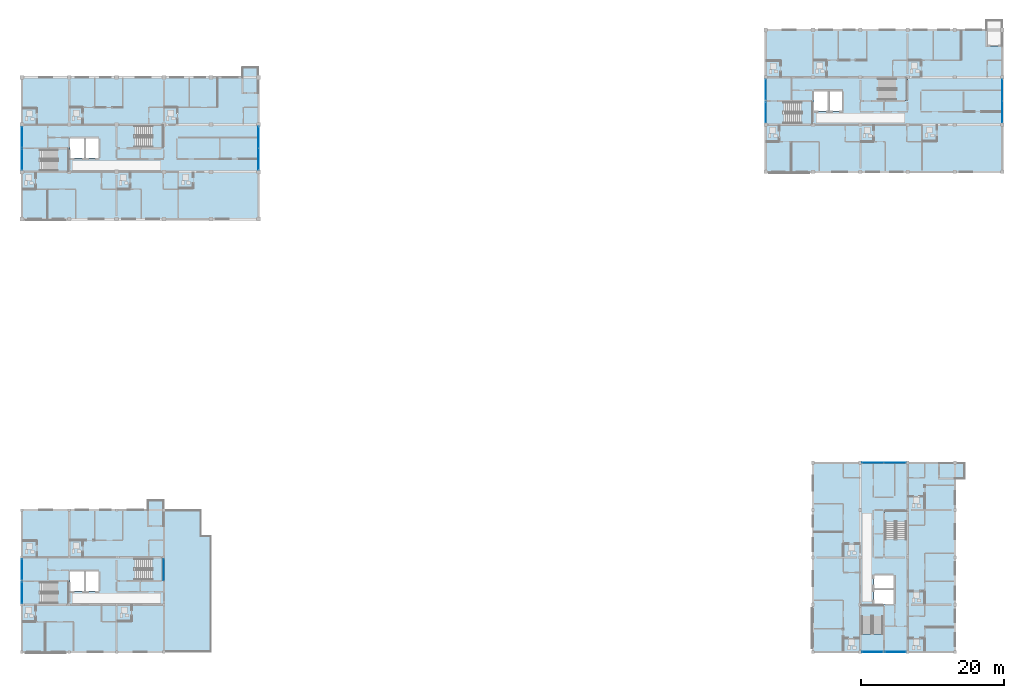
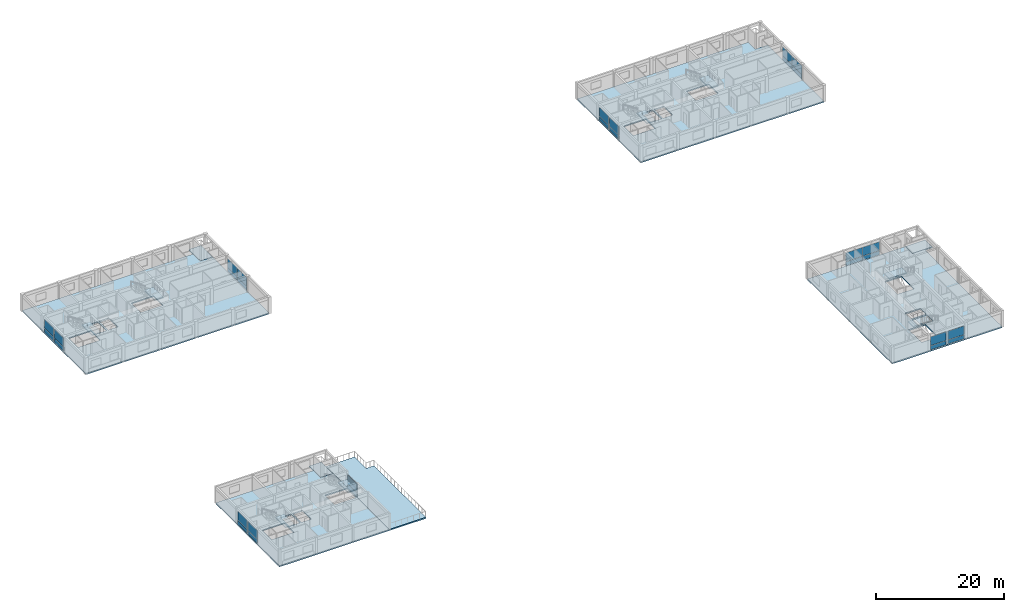
# One storey, part 23 of 46: 30 plates, 16 slabs, 20 elements without a shape of their own.
"""IFC4 building model written with IfcOpenShell, lengths in metres."""

from ifc_helpers import new_model, si_unit, direction, frame, origin, origin_2d, place, context, subcontext, project, spatial, polyline, rectangle, outline, extrude, material, layer, layer_set, type_object, element, aggregate, save


model = new_model("IFC4")

# Units and contexts
model_context = context("Model", 3, precision=1e-05, world=origin(), true_north=direction((0.0, 1.0)))
body_context = subcontext(model_context, "Body", "Model", "MODEL_VIEW")
ifc_project = project(units=[si_unit("LENGTHUNIT", "METRE"), si_unit("AREAUNIT", "SQUARE_METRE"), si_unit("VOLUMEUNIT", "CUBIC_METRE"), si_unit("PLANEANGLEUNIT", "RADIAN"), si_unit("MASSUNIT", "GRAM", prefix="KILO")], contexts=[model_context])

# Site, building, storey
site_placement = place(None, origin())
site = spatial("IfcSite", under=ifc_project, at=site_placement, CompositionType="ELEMENT")
building_placement = place(site_placement, origin())
building = spatial("IfcBuilding", under=site, at=building_placement, Name="Kernevlak Ridge Housing Community", CompositionType="ELEMENT")
storey_placement = place(building_placement, frame((0.0, 0.0, 27.60009765625)))
storey = spatial("IfcBuildingStorey", under=building, at=storey_placement, Name="L08", CompositionType="ELEMENT", Elevation=27.60009765625)

# Curtain wall, plate
ifc_material_1 = material(Name="Aluminium EN AW-6060 anodised and laminated glass", Category="aluminium")
curtain_wall_type_1 = type_object("IfcCurtainWallType", Name="CW-06", PredefinedType="NOTDEFINED", material=ifc_material_1)
curtain_wall_1_placement = place(storey_placement, origin())
curtain_wall_1 = element("IfcCurtainWall", 1, at=curtain_wall_1_placement, inside=storey, type_object=curtain_wall_type_1, Name="Curtain wall CW-06 CW-L08-026", PredefinedType="NOTDEFINED")
ifc_material_2 = material(Name="Aluminium EN AW-5005 enamelled panel", Category="aluminium")
ifc_layer_1 = layer(ifc_material_2, 0.033935546875, Name="Aluminium EN AW-5005 enamelled panel")
ifc_layer_set_1 = layer_set([ifc_layer_1], Name="Aluminium EN AW-5005 enamelled panel")
plate_type_1 = type_object("IfcPlateType", Name="CP-03", PredefinedType="CURTAIN_PANEL", material=ifc_layer_set_1)
plate_1_placement = place(storey_placement, frame((15.60009765625, 87.467529296875, 0.06494140625), z_axis=(0.0, 0.0, 1.0), x_axis=(0.0, 1.0, 0.0)))
plate_1 = element("IfcPlate", 2, at=plate_1_placement, type_object=plate_type_1, Name="CW-06 panel 1.1", PredefinedType="CURTAIN_PANEL", context=body_context, shape_type="SweptSolid", body=[
    extrude(rectangle(XDim=2.784912109375, YDim=0.033935546875, at=origin_2d()), origin(), (0.0, 0.0, 1.0), 0.75244140625),
])

curtain_wall_type_2 = type_object("IfcCurtainWallType", Name="CW-04", PredefinedType="NOTDEFINED", material=ifc_material_1)
curtain_wall_2_placement = place(storey_placement, origin())
curtain_wall_2 = element("IfcCurtainWall", 3, at=curtain_wall_2_placement, inside=storey, type_object=curtain_wall_type_2, Name="Curtain wall CW-04 CW-L08-079", PredefinedType="NOTDEFINED")
plate_2_placement = place(storey_placement, frame((119.39990234375, 90.919921875, 0.06005859375), z_axis=(0.0, 0.0, 1.0), x_axis=(0.0, 1.0, 0.0)))
plate_2 = element("IfcPlate", 4, at=plate_2_placement, type_object=plate_type_1, Name="CW-04 panel 1.1", PredefinedType="CURTAIN_PANEL", context=body_context, shape_type="SweptSolid", body=[
    extrude(rectangle(XDim=2.820068359375, YDim=0.033935546875, at=origin_2d()), origin(), (0.0, 0.0, 1.0), 0.760009765625),
])

curtain_wall_type_3 = type_object("IfcCurtainWallType", Name="CW-01", PredefinedType="NOTDEFINED", material=ifc_material_1)
curtain_wall_3_placement = place(storey_placement, origin())
curtain_wall_3 = element("IfcCurtainWall", 5, at=curtain_wall_3_placement, inside=storey, type_object=curtain_wall_type_3, Name="Curtain wall CW-01 CW-L08-165", PredefinedType="NOTDEFINED")
plate_3_placement = place(storey_placement, frame((35.39990234375, 27.08740234375, 0.054931640625), z_axis=(0.0, 0.0, 1.0), x_axis=(0.0, 1.0, 0.0)))
plate_3 = element("IfcPlate", 6, at=plate_3_placement, type_object=plate_type_1, Name="CW-01 panel 1.1", PredefinedType="CURTAIN_PANEL", context=body_context, shape_type="SweptSolid", body=[
    extrude(rectangle(XDim=2.965087890625, YDim=0.033935546875, at=origin_2d()), origin(), (0.0, 0.0, 1.0), 0.767578125),
])

# Curtain wall, plates
curtain_wall_type_4 = type_object("IfcCurtainWallType", Name="CW-10", PredefinedType="NOTDEFINED", material=ifc_material_1)
curtain_wall_4_placement = place(storey_placement, origin())
curtain_wall_4 = element("IfcCurtainWall", 7, at=curtain_wall_4_placement, inside=storey, type_object=curtain_wall_type_4, Name="Curtain wall CW-10 CW-L08-027", PredefinedType="NOTDEFINED")
ifc_layer_2 = layer(ifc_material_2, 0.0380859375, Name="Aluminium EN AW-5005 enamelled panel")
ifc_layer_set_2 = layer_set([ifc_layer_2], Name="Aluminium EN AW-5005 enamelled panel")
plate_type_2 = type_object("IfcPlateType", Name="CP-04", PredefinedType="CURTAIN_PANEL", material=ifc_layer_set_2)
plate_4_placement = place(storey_placement, frame((48.60009765625, 84.4013671875, 0.054931640625), z_axis=(0.0, 0.0, 1.0), x_axis=(0.0, 1.0, 0.0)))
plate_4 = element("IfcPlate", 8, at=plate_4_placement, type_object=plate_type_2, Name="CW-10 panel 1.1", PredefinedType="CURTAIN_PANEL", context=body_context, shape_type="SweptSolid", body=[
    extrude(rectangle(XDim=2.9423828125, YDim=0.0380859375, at=origin_2d()), origin(), (0.0, 0.0, 1.0), 0.767578125),
])
plate_5_placement = place(storey_placement, frame((48.60009765625, 87.398681640625, 0.054931640625), z_axis=(0.0, 0.0, 1.0), x_axis=(0.0, 1.0, 0.0)))
plate_5 = element("IfcPlate", 9, at=plate_5_placement, type_object=plate_type_2, Name="CW-10 panel 2.1", PredefinedType="CURTAIN_PANEL", context=body_context, shape_type="SweptSolid", body=[
    extrude(rectangle(XDim=2.9423828125, YDim=0.0380859375, at=origin_2d()), origin(), (0.0, 0.0, 1.0), 0.767578125),
])

# Curtain wall, plate
curtain_wall_type_5 = type_object("IfcCurtainWallType", Name="CW-09", PredefinedType="NOTDEFINED", material=ifc_material_1)
curtain_wall_5_placement = place(storey_placement, origin())
curtain_wall_5 = element("IfcCurtainWall", 10, at=curtain_wall_5_placement, inside=storey, type_object=curtain_wall_type_5, Name="Curtain wall CW-09 CW-L08-080", PredefinedType="NOTDEFINED")
plate_6_placement = place(storey_placement, frame((119.39990234375, 94.080078125, 0.06494140625), z_axis=(0.0, 0.0, 1.0), x_axis=(0.0, 1.0, 0.0)))
plate_6 = element("IfcPlate", 11, at=plate_6_placement, type_object=plate_type_2, Name="CW-09 panel 1.1", PredefinedType="CURTAIN_PANEL", context=body_context, shape_type="SweptSolid", body=[
    extrude(rectangle(XDim=2.81005859375, YDim=0.0380859375, at=origin_2d()), origin(), (0.0, 0.0, 1.0), 0.75244140625),
])

curtain_wall_type_6 = type_object("IfcCurtainWallType", Name="CW-07", PredefinedType="NOTDEFINED", material=ifc_material_1)
curtain_wall_6_placement = place(storey_placement, origin())
curtain_wall_6 = element("IfcCurtainWall", 12, at=curtain_wall_6_placement, inside=storey, type_object=curtain_wall_type_6, Name="Curtain wall CW-07 CW-L08-124", PredefinedType="NOTDEFINED")
plate_7_placement = place(storey_placement, frame((134.3076171875, 15.60009765625, 0.06005859375), z_axis=(0.0, 0.0, 1.0), x_axis=(1.0, 0.0, 0.0)))
plate_7 = element("IfcPlate", 13, at=plate_7_placement, type_object=plate_type_2, Name="CW-07 panel 1.1", PredefinedType="CURTAIN_PANEL", context=body_context, shape_type="SweptSolid", body=[
    extrude(rectangle(XDim=2.844970703125, YDim=0.0380859375, at=origin_2d()), origin(), (0.0, 0.0, 1.0), 0.760009765625),
])

# Curtain wall, plates
curtain_wall_type_7 = type_object("IfcCurtainWallType", Name="CW-12", PredefinedType="NOTDEFINED", material=ifc_material_1)
curtain_wall_7_placement = place(storey_placement, origin())
curtain_wall_7 = element("IfcCurtainWall", 14, at=curtain_wall_7_placement, inside=storey, type_object=curtain_wall_type_7, Name="Curtain wall CW-12 CW-L08-081", PredefinedType="NOTDEFINED")
ifc_layer_3 = layer(ifc_material_2, 0.0419921875, Name="Aluminium EN AW-5005 enamelled panel")
ifc_layer_set_3 = layer_set([ifc_layer_3], Name="Aluminium EN AW-5005 enamelled panel")
plate_type_3 = type_object("IfcPlateType", Name="CP-05", PredefinedType="CURTAIN_PANEL", material=ifc_layer_set_3)
plate_8_placement = place(storey_placement, frame((152.39990234375, 90.98876953125, 0.054931640625), z_axis=(0.0, 0.0, 1.0), x_axis=(0.0, 1.0, 0.0)))
plate_8 = element("IfcPlate", 15, at=plate_8_placement, type_object=plate_type_3, Name="CW-12 panel 1.1", PredefinedType="CURTAIN_PANEL", context=body_context, shape_type="SweptSolid", body=[
    extrude(rectangle(XDim=2.967529296875, YDim=0.0419921875, at=origin_2d()), origin(), (0.0, 0.0, 1.0), 0.767578125),
])
plate_9_placement = place(storey_placement, frame((152.39990234375, 94.01123046875, 0.054931640625), z_axis=(0.0, 0.0, 1.0), x_axis=(0.0, 1.0, 0.0)))
plate_9 = element("IfcPlate", 16, at=plate_9_placement, type_object=plate_type_3, Name="CW-12 panel 2.1", PredefinedType="CURTAIN_PANEL", context=body_context, shape_type="SweptSolid", body=[
    extrude(rectangle(XDim=2.967529296875, YDim=0.0419921875, at=origin_2d()), origin(), (0.0, 0.0, 1.0), 0.767578125),
])

# Curtain wall, plate
curtain_wall_8_placement = place(storey_placement, origin())
curtain_wall_8 = element("IfcCurtainWall", 17, at=curtain_wall_8_placement, inside=storey, type_object=curtain_wall_type_7, Name="Curtain wall CW-12 CW-L08-125", PredefinedType="NOTDEFINED")
plate_10_placement = place(storey_placement, frame((137.492431640625, 15.60009765625, 0.06494140625), z_axis=(0.0, 0.0, 1.0), x_axis=(1.0, 0.0, 0.0)))
plate_10 = element("IfcPlate", 18, at=plate_10_placement, type_object=plate_type_3, Name="CW-12 panel 1.1", PredefinedType="CURTAIN_PANEL", context=body_context, shape_type="SweptSolid", body=[
    extrude(rectangle(XDim=2.8349609375, YDim=0.0419921875, at=origin_2d()), origin(), (0.0, 0.0, 1.0), 0.75244140625),
])

curtain_wall_9_placement = place(storey_placement, origin())
curtain_wall_9 = element("IfcCurtainWall", 19, at=curtain_wall_9_placement, inside=storey, type_object=curtain_wall_type_4, Name="Curtain wall CW-10 CW-L08-163", PredefinedType="NOTDEFINED")
plate_11_placement = place(storey_placement, frame((15.60009765625, 23.882568359375, 0.06005859375), z_axis=(0.0, 0.0, 1.0), x_axis=(0.0, 1.0, 0.0)))
plate_11 = element("IfcPlate", 20, at=plate_11_placement, type_object=plate_type_3, Name="CW-10 panel 1.1", PredefinedType="CURTAIN_PANEL", context=body_context, shape_type="SweptSolid", body=[
    extrude(rectangle(XDim=2.89501953125, YDim=0.0419921875, at=origin_2d()), origin(), (0.0, 0.0, 1.0), 0.760009765625),
])

# Curtain wall, plates
curtain_wall_type_8 = type_object("IfcCurtainWallType", Name="CW-14", PredefinedType="NOTDEFINED", material=ifc_material_1)
curtain_wall_10_placement = place(storey_placement, origin())
curtain_wall_10 = element("IfcCurtainWall", 21, at=curtain_wall_10_placement, inside=storey, type_object=curtain_wall_type_8, Name="Curtain wall CW-14 CW-L08-126", PredefinedType="NOTDEFINED")
ifc_material_3 = material(Name="Aluminium EN AW-5005 insulated panel", Category="aluminium")
ifc_layer_4 = layer(ifc_material_3, 0.0458984375, Name="Aluminium EN AW-5005 insulated panel")
ifc_layer_set_4 = layer_set([ifc_layer_4], Name="Aluminium EN AW-5005 insulated panel")
plate_type_4 = type_object("IfcPlateType", Name="CP-06", PredefinedType="CURTAIN_PANEL", material=ifc_layer_set_4)
plate_12_placement = place(storey_placement, frame((134.376220703125, 42.0, 0.054931640625), z_axis=(0.0, 0.0, 1.0), x_axis=(1.0, 0.0, 0.0)))
plate_12 = element("IfcPlate", 22, at=plate_12_placement, type_object=plate_type_4, Name="CW-14 panel 1.1", PredefinedType="CURTAIN_PANEL", context=body_context, shape_type="SweptSolid", body=[
    extrude(rectangle(XDim=2.992431640625, YDim=0.0458984375, at=origin_2d()), origin(), (0.0, 0.0, 1.0), 0.767578125),
])
plate_13_placement = place(storey_placement, frame((137.423828125, 42.0, 0.054931640625), z_axis=(0.0, 0.0, 1.0), x_axis=(1.0, 0.0, 0.0)))
plate_13 = element("IfcPlate", 23, at=plate_13_placement, type_object=plate_type_4, Name="CW-14 panel 2.1", PredefinedType="CURTAIN_PANEL", context=body_context, shape_type="SweptSolid", body=[
    extrude(rectangle(XDim=2.992431640625, YDim=0.0458984375, at=origin_2d()), origin(), (0.0, 0.0, 1.0), 0.767578125),
])

# Curtain wall, plate
curtain_wall_11_placement = place(storey_placement, origin())
curtain_wall_11 = element("IfcCurtainWall", 24, at=curtain_wall_11_placement, inside=storey, type_object=curtain_wall_type_3, Name="Curtain wall CW-01 CW-L08-164", PredefinedType="NOTDEFINED")
plate_14_placement = place(storey_placement, frame((15.60009765625, 27.117431640625, 0.06494140625), z_axis=(0.0, 0.0, 1.0), x_axis=(0.0, 1.0, 0.0)))
plate_14 = element("IfcPlate", 25, at=plate_14_placement, type_object=plate_type_4, Name="CW-01 panel 1.1", PredefinedType="CURTAIN_PANEL", context=body_context, shape_type="SweptSolid", body=[
    extrude(rectangle(XDim=2.885009765625, YDim=0.0458984375, at=origin_2d()), origin(), (0.0, 0.0, 1.0), 0.75244140625),
])

# Curtain wall, plates
curtain_wall_12_placement = place(storey_placement, origin())
curtain_wall_12 = element("IfcCurtainWall", 26, at=curtain_wall_12_placement, inside=storey, type_object=curtain_wall_type_3, Name="Curtain wall CW-01 CW-L08-025", PredefinedType="NOTDEFINED")
ifc_layer_5 = layer(ifc_material_3, 0.050048828125, Name="Aluminium EN AW-5005 insulated panel")
ifc_layer_set_5 = layer_set([ifc_layer_5], Name="Aluminium EN AW-5005 insulated panel")
plate_type_5 = type_object("IfcPlateType", Name="CP-07", PredefinedType="CURTAIN_PANEL", material=ifc_layer_set_5)
plate_15_placement = place(storey_placement, frame((15.60009765625, 84.33251953125, 0.06005859375), z_axis=(0.0, 0.0, 1.0), x_axis=(0.0, 1.0, 0.0)))
plate_15 = element("IfcPlate", 27, at=plate_15_placement, type_object=plate_type_5, Name="CW-01 panel 1.1", PredefinedType="CURTAIN_PANEL", context=body_context, shape_type="SweptSolid", body=[
    extrude(rectangle(XDim=2.794921875, YDim=0.050048828125, at=origin_2d()), origin(), (0.0, 0.0, 1.0), 0.760009765625),
])
ifc_material_4 = material(Name="Low-iron clear staircase glazing panel", Category="glass")
ifc_layer_6 = layer(ifc_material_4, 0.031982421875, Name="Low-iron clear staircase glazing panel")
ifc_layer_set_6 = layer_set([ifc_layer_6], Name="Low-iron clear staircase glazing panel")
plate_type_6 = type_object("IfcPlateType", Name="CP-08", PredefinedType="CURTAIN_PANEL", material=ifc_layer_set_6)
plate_16_placement = place(storey_placement, frame((15.60009765625, 84.33251953125, 0.8798828125), z_axis=(0.0, 0.0, 1.0), x_axis=(0.0, 1.0, 0.0)))
plate_16 = element("IfcPlate", 28, at=plate_16_placement, type_object=plate_type_6, Name="CW-01 panel 1.2", PredefinedType="CURTAIN_PANEL", context=body_context, shape_type="SweptSolid", body=[
    extrude(rectangle(XDim=2.794921875, YDim=0.031982421875, at=origin_2d()), origin(), (0.0, 0.0, 1.0), 1.659912109375),
])
aggregate(curtain_wall_12, [plate_15, plate_16])

# Plate
plate_17_placement = place(storey_placement, frame((15.60009765625, 87.467529296875, 0.88232421875), z_axis=(0.0, 0.0, 1.0), x_axis=(0.0, 1.0, 0.0)))
plate_17 = element("IfcPlate", 29, at=plate_17_placement, type_object=plate_type_6, Name="CW-06 panel 1.2", PredefinedType="CURTAIN_PANEL", context=body_context, shape_type="SweptSolid", body=[
    extrude(rectangle(XDim=2.784912109375, YDim=0.031982421875, at=origin_2d()), origin(), (0.0, 0.0, 1.0), 1.652587890625),
])

aggregate(curtain_wall_1, [plate_1, plate_17])

plate_18_placement = place(storey_placement, frame((48.60009765625, 84.4013671875, 0.87744140625), z_axis=(0.0, 0.0, 1.0), x_axis=(0.0, 1.0, 0.0)))
plate_18 = element("IfcPlate", 30, at=plate_18_placement, type_object=plate_type_6, Name="CW-10 panel 1.2", PredefinedType="CURTAIN_PANEL", context=body_context, shape_type="SweptSolid", body=[
    extrude(rectangle(XDim=2.9423828125, YDim=0.031982421875, at=origin_2d()), origin(), (0.0, 0.0, 1.0), 1.66748046875),
])

plate_19_placement = place(storey_placement, frame((48.60009765625, 87.398681640625, 0.87744140625), z_axis=(0.0, 0.0, 1.0), x_axis=(0.0, 1.0, 0.0)))
plate_19 = element("IfcPlate", 31, at=plate_19_placement, type_object=plate_type_6, Name="CW-10 panel 2.2", PredefinedType="CURTAIN_PANEL", context=body_context, shape_type="SweptSolid", body=[
    extrude(rectangle(XDim=2.9423828125, YDim=0.031982421875, at=origin_2d()), origin(), (0.0, 0.0, 1.0), 1.66748046875),
])

aggregate(curtain_wall_4, [plate_4, plate_18, plate_5, plate_19])

plate_20_placement = place(storey_placement, frame((119.39990234375, 90.919921875, 0.8798828125), z_axis=(0.0, 0.0, 1.0), x_axis=(0.0, 1.0, 0.0)))
plate_20 = element("IfcPlate", 32, at=plate_20_placement, type_object=plate_type_6, Name="CW-04 panel 1.2", PredefinedType="CURTAIN_PANEL", context=body_context, shape_type="SweptSolid", body=[
    extrude(rectangle(XDim=2.820068359375, YDim=0.031982421875, at=origin_2d()), origin(), (0.0, 0.0, 1.0), 1.659912109375),
])

aggregate(curtain_wall_2, [plate_2, plate_20])

plate_21_placement = place(storey_placement, frame((119.39990234375, 94.080078125, 0.88232421875), z_axis=(0.0, 0.0, 1.0), x_axis=(0.0, 1.0, 0.0)))
plate_21 = element("IfcPlate", 33, at=plate_21_placement, type_object=plate_type_6, Name="CW-09 panel 1.2", PredefinedType="CURTAIN_PANEL", context=body_context, shape_type="SweptSolid", body=[
    extrude(rectangle(XDim=2.81005859375, YDim=0.031982421875, at=origin_2d()), origin(), (0.0, 0.0, 1.0), 1.652587890625),
])

aggregate(curtain_wall_5, [plate_6, plate_21])

plate_22_placement = place(storey_placement, frame((152.39990234375, 90.98876953125, 0.87744140625), z_axis=(0.0, 0.0, 1.0), x_axis=(0.0, 1.0, 0.0)))
plate_22 = element("IfcPlate", 34, at=plate_22_placement, type_object=plate_type_6, Name="CW-12 panel 1.2", PredefinedType="CURTAIN_PANEL", context=body_context, shape_type="SweptSolid", body=[
    extrude(rectangle(XDim=2.967529296875, YDim=0.031982421875, at=origin_2d()), origin(), (0.0, 0.0, 1.0), 1.66748046875),
])

plate_23_placement = place(storey_placement, frame((152.39990234375, 94.01123046875, 0.87744140625), z_axis=(0.0, 0.0, 1.0), x_axis=(0.0, 1.0, 0.0)))
plate_23 = element("IfcPlate", 35, at=plate_23_placement, type_object=plate_type_6, Name="CW-12 panel 2.2", PredefinedType="CURTAIN_PANEL", context=body_context, shape_type="SweptSolid", body=[
    extrude(rectangle(XDim=2.967529296875, YDim=0.031982421875, at=origin_2d()), origin(), (0.0, 0.0, 1.0), 1.66748046875),
])

aggregate(curtain_wall_7, [plate_8, plate_22, plate_9, plate_23])

plate_24_placement = place(storey_placement, frame((134.3076171875, 15.60009765625, 0.8798828125), z_axis=(0.0, 0.0, 1.0), x_axis=(1.0, 0.0, 0.0)))
plate_24 = element("IfcPlate", 36, at=plate_24_placement, type_object=plate_type_6, Name="CW-07 panel 1.2", PredefinedType="CURTAIN_PANEL", context=body_context, shape_type="SweptSolid", body=[
    extrude(rectangle(XDim=2.844970703125, YDim=0.031982421875, at=origin_2d()), origin(), (0.0, 0.0, 1.0), 1.659912109375),
])

aggregate(curtain_wall_6, [plate_7, plate_24])

plate_25_placement = place(storey_placement, frame((137.492431640625, 15.60009765625, 0.88232421875), z_axis=(0.0, 0.0, 1.0), x_axis=(1.0, 0.0, 0.0)))
plate_25 = element("IfcPlate", 37, at=plate_25_placement, type_object=plate_type_6, Name="CW-12 panel 1.2", PredefinedType="CURTAIN_PANEL", context=body_context, shape_type="SweptSolid", body=[
    extrude(rectangle(XDim=2.8349609375, YDim=0.031982421875, at=origin_2d()), origin(), (0.0, 0.0, 1.0), 1.652587890625),
])

aggregate(curtain_wall_8, [plate_10, plate_25])

plate_26_placement = place(storey_placement, frame((134.376220703125, 42.0, 0.87744140625), z_axis=(0.0, 0.0, 1.0), x_axis=(1.0, 0.0, 0.0)))
plate_26 = element("IfcPlate", 38, at=plate_26_placement, type_object=plate_type_6, Name="CW-14 panel 1.2", PredefinedType="CURTAIN_PANEL", context=body_context, shape_type="SweptSolid", body=[
    extrude(rectangle(XDim=2.992431640625, YDim=0.031982421875, at=origin_2d()), origin(), (0.0, 0.0, 1.0), 1.66748046875),
])

plate_27_placement = place(storey_placement, frame((137.423828125, 42.0, 0.87744140625), z_axis=(0.0, 0.0, 1.0), x_axis=(1.0, 0.0, 0.0)))
plate_27 = element("IfcPlate", 39, at=plate_27_placement, type_object=plate_type_6, Name="CW-14 panel 2.2", PredefinedType="CURTAIN_PANEL", context=body_context, shape_type="SweptSolid", body=[
    extrude(rectangle(XDim=2.992431640625, YDim=0.031982421875, at=origin_2d()), origin(), (0.0, 0.0, 1.0), 1.66748046875),
])

aggregate(curtain_wall_10, [plate_12, plate_26, plate_13, plate_27])

plate_28_placement = place(storey_placement, frame((15.60009765625, 23.882568359375, 0.8798828125), z_axis=(0.0, 0.0, 1.0), x_axis=(0.0, 1.0, 0.0)))
plate_28 = element("IfcPlate", 40, at=plate_28_placement, type_object=plate_type_6, Name="CW-10 panel 1.2", PredefinedType="CURTAIN_PANEL", context=body_context, shape_type="SweptSolid", body=[
    extrude(rectangle(XDim=2.89501953125, YDim=0.031982421875, at=origin_2d()), origin(), (0.0, 0.0, 1.0), 1.659912109375),
])

aggregate(curtain_wall_9, [plate_11, plate_28])

plate_29_placement = place(storey_placement, frame((15.60009765625, 27.117431640625, 0.88232421875), z_axis=(0.0, 0.0, 1.0), x_axis=(0.0, 1.0, 0.0)))
plate_29 = element("IfcPlate", 41, at=plate_29_placement, type_object=plate_type_6, Name="CW-01 panel 1.2", PredefinedType="CURTAIN_PANEL", context=body_context, shape_type="SweptSolid", body=[
    extrude(rectangle(XDim=2.885009765625, YDim=0.031982421875, at=origin_2d()), origin(), (0.0, 0.0, 1.0), 1.652587890625),
])

aggregate(curtain_wall_11, [plate_14, plate_29])

plate_30_placement = place(storey_placement, frame((35.39990234375, 27.08740234375, 0.87744140625), z_axis=(0.0, 0.0, 1.0), x_axis=(0.0, 1.0, 0.0)))
plate_30 = element("IfcPlate", 42, at=plate_30_placement, type_object=plate_type_6, Name="CW-01 panel 1.2", PredefinedType="CURTAIN_PANEL", context=body_context, shape_type="SweptSolid", body=[
    extrude(rectangle(XDim=2.965087890625, YDim=0.031982421875, at=origin_2d()), origin(), (0.0, 0.0, 1.0), 1.66748046875),
])

aggregate(curtain_wall_3, [plate_3, plate_30])

# Slabs
ifc_material_5 = material(Name="Concrete C35/45", Category="concrete")
ifc_layer_7 = layer(ifc_material_5, 0.199951171875, Name="Concrete C35/45")
ifc_layer_set_7 = layer_set([ifc_layer_7], Name="Concrete C35/45")
slab_type_1 = type_object("IfcSlabType", Name="SL-05", PredefinedType="FLOOR", material=ifc_layer_set_7)
slab_1_placement = place(storey_placement, frame((0.0, 0.0, -0.2001953125)))
element("IfcSlab", 43, at=slab_1_placement, inside=storey, type_object=slab_type_1, Name="Block A L08 corner balcony deck slab", PredefinedType="FLOOR", context=body_context, shape_type="SweptSolid", body=[
    extrude(outline(polyline([(46.39990234375, 93.60009765625), (48.60009765625, 93.60009765625), (48.60009765625, 97.199951171875), (46.39990234375, 97.199951171875), (46.39990234375, 93.60009765625)])), origin(), (0.0, 0.0, 1.0), 0.2001953125),
])
slab_2_placement = place(storey_placement, frame((0.0, 0.0, -0.2001953125)))
element("IfcSlab", 44, at=slab_2_placement, inside=storey, type_object=slab_type_1, Name="Block C L08 corner balcony deck slab", PredefinedType="FLOOR", context=body_context, shape_type="SweptSolid", body=[
    extrude(outline(polyline([(147.199951171875, 39.800048828125), (147.199951171875, 42.0), (143.60009765625, 42.0), (143.60009765625, 39.800048828125), (147.199951171875, 39.800048828125)])), origin(), (0.0, 0.0, 1.0), 0.2001953125),
])
slab_3_placement = place(storey_placement, frame((0.0, 0.0, -0.2001953125)))
element("IfcSlab", 45, at=slab_3_placement, inside=storey, type_object=slab_type_1, Name="Block D L08 corner balcony deck slab", PredefinedType="FLOOR", context=body_context, shape_type="SweptSolid", body=[
    extrude(outline(polyline([(33.199951171875, 33.199951171875), (35.39990234375, 33.199951171875), (35.39990234375, 36.800048828125), (33.199951171875, 36.800048828125), (33.199951171875, 33.199951171875)])), origin(), (0.0, 0.0, 1.0), 0.2001953125),
])
ifc_layer_8 = layer(ifc_material_5, 0.239990234375, Name="Concrete C35/45")
ifc_layer_set_8 = layer_set([ifc_layer_8], Name="Concrete C35/45")
slab_type_2 = type_object("IfcSlabType", Name="SL-08", PredefinedType="ROOF", material=ifc_layer_set_8)
slab_4_placement = place(storey_placement, frame((0.0, 0.0, -0.239990234375)))
element("IfcSlab", 46, at=slab_4_placement, inside=storey, type_object=slab_type_2, Name="Block D L08 setback roof terrace slab", PredefinedType="ROOF", context=body_context, shape_type="SweptSolid", body=[
    extrude(outline(polyline([(35.39990234375, 15.60009765625), (42.0, 15.60009765625), (42.0, 31.800048828125), (40.60009765625, 31.800048828125), (40.60009765625, 35.39990234375), (35.39990234375, 35.39990234375), (35.39990234375, 15.60009765625)])), origin(), (0.0, 0.0, 1.0), 0.239990234375),
])

# Stair, slab
stair_type = type_object("IfcStairType", Name="SR-01", PredefinedType="HALF_TURN_STAIR", material=ifc_material_5)
stair_1_placement = place(storey_placement, origin())
stair_1 = element("IfcStair", 47, at=stair_1_placement, inside=storey, type_object=stair_type, Name="Stair ST-A1 L08", PredefinedType="HALF_TURN_STAIR")
ifc_layer_9 = layer(ifc_material_5, 0.18994140625, Name="Concrete C35/45")
ifc_layer_set_9 = layer_set([ifc_layer_9], Name="Concrete C35/45")
slab_type_3 = type_object("IfcSlabType", Name="SL-13", PredefinedType="LANDING", material=ifc_layer_set_9)
slab_5_placement = place(storey_placement, frame((0.0, 0.0, 1.409912109375)))
slab_5 = element("IfcSlab", 48, at=slab_5_placement, type_object=slab_type_3, Name="SR-01 landing 1", PredefinedType="LANDING", context=body_context, shape_type="SweptSolid", body=[
    extrude(outline(polyline([(20.5400390625, 82.64990234375), (22.14990234375, 82.64990234375), (22.14990234375, 85.85009765625), (20.5400390625, 85.85009765625), (20.5400390625, 82.64990234375)])), origin(), (0.0, 0.0, 1.0), 0.18994140625),
])
aggregate(stair_1, [slab_5])

stair_2_placement = place(storey_placement, origin())
stair_2 = element("IfcStair", 49, at=stair_2_placement, inside=storey, type_object=stair_type, Name="Stair ST-A2 L08", PredefinedType="HALF_TURN_STAIR")
slab_6_placement = place(storey_placement, frame((0.0, 0.0, 1.409912109375)))
slab_6 = element("IfcSlab", 50, at=slab_6_placement, type_object=slab_type_3, Name="SR-01 landing 1", PredefinedType="LANDING", context=body_context, shape_type="SweptSolid", body=[
    extrude(outline(polyline([(33.739990234375, 85.949951171875), (35.35009765625, 85.949951171875), (35.35009765625, 89.14990234375), (33.739990234375, 89.14990234375), (33.739990234375, 85.949951171875)])), origin(), (0.0, 0.0, 1.0), 0.18994140625),
])
aggregate(stair_2, [slab_6])

stair_3_placement = place(storey_placement, origin())
stair_3 = element("IfcStair", 51, at=stair_3_placement, inside=storey, type_object=stair_type, Name="Stair ST-B1 L08", PredefinedType="HALF_TURN_STAIR")
slab_7_placement = place(storey_placement, frame((0.0, 0.0, 1.409912109375)))
slab_7 = element("IfcSlab", 52, at=slab_7_placement, type_object=slab_type_3, Name="SR-01 landing 1", PredefinedType="LANDING", context=body_context, shape_type="SweptSolid", body=[
    extrude(outline(polyline([(124.340087890625, 89.25), (125.949951171875, 89.25), (125.949951171875, 92.449951171875), (124.340087890625, 92.449951171875), (124.340087890625, 89.25)])), origin(), (0.0, 0.0, 1.0), 0.18994140625),
])
aggregate(stair_3, [slab_7])

stair_4_placement = place(storey_placement, origin())
stair_4 = element("IfcStair", 53, at=stair_4_placement, inside=storey, type_object=stair_type, Name="Stair ST-B2 L08", PredefinedType="HALF_TURN_STAIR")
slab_8_placement = place(storey_placement, frame((0.0, 0.0, 1.409912109375)))
slab_8 = element("IfcSlab", 54, at=slab_8_placement, type_object=slab_type_3, Name="SR-01 landing 1", PredefinedType="LANDING", context=body_context, shape_type="SweptSolid", body=[
    extrude(outline(polyline([(137.5400390625, 92.550048828125), (139.14990234375, 92.550048828125), (139.14990234375, 95.75), (137.5400390625, 95.75), (137.5400390625, 92.550048828125)])), origin(), (0.0, 0.0, 1.0), 0.18994140625),
])
aggregate(stair_4, [slab_8])

stair_5_placement = place(storey_placement, origin())
stair_5 = element("IfcStair", 55, at=stair_5_placement, inside=storey, type_object=stair_type, Name="Stair ST-C1 L08", PredefinedType="HALF_TURN_STAIR")
slab_9_placement = place(storey_placement, frame((0.0, 0.0, 1.409912109375)))
slab_9 = element("IfcSlab", 56, at=slab_9_placement, type_object=slab_type_3, Name="SR-01 landing 1", PredefinedType="LANDING", context=body_context, shape_type="SweptSolid", body=[
    extrude(outline(polyline([(135.85009765625, 20.5400390625), (135.85009765625, 22.14990234375), (132.64990234375, 22.14990234375), (132.64990234375, 20.5400390625), (135.85009765625, 20.5400390625)])), origin(), (0.0, 0.0, 1.0), 0.18994140625),
])
aggregate(stair_5, [slab_9])

stair_6_placement = place(storey_placement, origin())
stair_6 = element("IfcStair", 57, at=stair_6_placement, inside=storey, type_object=stair_type, Name="Stair ST-C2 L08", PredefinedType="HALF_TURN_STAIR")
slab_10_placement = place(storey_placement, frame((0.0, 0.0, 1.409912109375)))
slab_10 = element("IfcSlab", 58, at=slab_10_placement, type_object=slab_type_3, Name="SR-01 landing 1", PredefinedType="LANDING", context=body_context, shape_type="SweptSolid", body=[
    extrude(outline(polyline([(139.14990234375, 33.739990234375), (139.14990234375, 35.35009765625), (135.949951171875, 35.35009765625), (135.949951171875, 33.739990234375), (139.14990234375, 33.739990234375)])), origin(), (0.0, 0.0, 1.0), 0.18994140625),
])
aggregate(stair_6, [slab_10])

stair_7_placement = place(storey_placement, origin())
stair_7 = element("IfcStair", 59, at=stair_7_placement, inside=storey, type_object=stair_type, Name="Stair ST-D1 L08", PredefinedType="HALF_TURN_STAIR")
slab_11_placement = place(storey_placement, frame((0.0, 0.0, 1.409912109375)))
slab_11 = element("IfcSlab", 60, at=slab_11_placement, type_object=slab_type_3, Name="SR-01 landing 1", PredefinedType="LANDING", context=body_context, shape_type="SweptSolid", body=[
    extrude(outline(polyline([(20.5400390625, 22.25), (22.14990234375, 22.25), (22.14990234375, 25.449951171875), (20.5400390625, 25.449951171875), (20.5400390625, 22.25)])), origin(), (0.0, 0.0, 1.0), 0.18994140625),
])
aggregate(stair_7, [slab_11])

stair_8_placement = place(storey_placement, origin())
stair_8 = element("IfcStair", 61, at=stair_8_placement, inside=storey, type_object=stair_type, Name="Stair ST-D2 L08", PredefinedType="HALF_TURN_STAIR")
slab_12_placement = place(storey_placement, frame((0.0, 0.0, 1.409912109375)))
slab_12 = element("IfcSlab", 62, at=slab_12_placement, type_object=slab_type_3, Name="SR-01 landing 1", PredefinedType="LANDING", context=body_context, shape_type="SweptSolid", body=[
    extrude(outline(polyline([(33.739990234375, 25.550048828125), (35.35009765625, 25.550048828125), (35.35009765625, 28.75), (33.739990234375, 28.75), (33.739990234375, 25.550048828125)])), origin(), (0.0, 0.0, 1.0), 0.18994140625),
])
aggregate(stair_8, [slab_12])

# Slabs
ifc_layer_10 = layer(ifc_material_5, 0.22998046875, Name="Concrete C35/45")
ifc_layer_set_10 = layer_set([ifc_layer_10], Name="Concrete C35/45")
slab_type_4 = type_object("IfcSlabType", Name="SL-16", PredefinedType="FLOOR", material=ifc_layer_set_10)
slab_13_placement = place(storey_placement, frame((0.0, 0.0, -0.22998046875)))
element("IfcSlab", 63, at=slab_13_placement, inside=storey, type_object=slab_type_4, Name="Block A level L08 floor slab", PredefinedType="FLOOR", context=body_context, shape_type="SweptSolid", body=[
    extrude(outline(polyline([(15.60009765625, 76.0), (48.60009765625, 76.0), (48.60009765625, 93.60009765625), (46.39990234375, 93.60009765625), (46.39990234375, 95.800048828125), (15.60009765625, 95.800048828125), (15.60009765625, 76.0)]), holes=[polyline([(18.139892578125, 85.75), (22.1201171875, 85.75), (22.1201171875, 82.75), (18.139892578125, 82.75), (18.139892578125, 85.75)]), polyline([(31.340087890625, 89.050048828125), (35.320068359375, 89.050048828125), (35.320068359375, 86.050048828125), (31.340087890625, 86.050048828125), (31.340087890625, 89.050048828125)]), polyline([(22.320068359375, 87.280029296875), (24.280029296875, 87.280029296875), (24.280029296875, 84.52001953125), (22.320068359375, 84.52001953125), (22.320068359375, 87.280029296875)]), polyline([(24.52001953125, 87.280029296875), (26.280029296875, 87.280029296875), (26.280029296875, 84.52001953125), (24.52001953125, 84.52001953125), (24.52001953125, 87.280029296875)])]), origin(), (0.0, 0.0, 1.0), 0.22998046875),
])
slab_14_placement = place(storey_placement, frame((0.0, 0.0, -0.22998046875)))
element("IfcSlab", 64, at=slab_14_placement, inside=storey, type_object=slab_type_4, Name="Block B level L08 floor slab", PredefinedType="FLOOR", context=body_context, shape_type="SweptSolid", body=[
    extrude(outline(polyline([(119.39990234375, 82.60009765625), (152.39990234375, 82.60009765625), (152.39990234375, 100.199951171875), (150.199951171875, 100.199951171875), (150.199951171875, 102.39990234375), (119.39990234375, 102.39990234375), (119.39990234375, 82.60009765625)]), holes=[polyline([(121.93994140625, 92.35009765625), (125.919921875, 92.35009765625), (125.919921875, 89.35009765625), (121.93994140625, 89.35009765625), (121.93994140625, 92.35009765625)]), polyline([(135.139892578125, 95.64990234375), (139.1201171875, 95.64990234375), (139.1201171875, 92.64990234375), (135.139892578125, 92.64990234375), (135.139892578125, 95.64990234375)]), polyline([(126.1201171875, 93.8798828125), (128.080078125, 93.8798828125), (128.080078125, 91.1201171875), (126.1201171875, 91.1201171875), (126.1201171875, 93.8798828125)]), polyline([(128.320068359375, 93.8798828125), (130.080078125, 93.8798828125), (130.080078125, 91.1201171875), (128.320068359375, 91.1201171875), (128.320068359375, 93.8798828125)])]), origin(), (0.0, 0.0, 1.0), 0.22998046875),
])
slab_15_placement = place(storey_placement, frame((0.0, 0.0, -0.22998046875)))
element("IfcSlab", 65, at=slab_15_placement, inside=storey, type_object=slab_type_4, Name="Block C level L08 floor slab", PredefinedType="FLOOR", context=body_context, shape_type="SweptSolid", body=[
    extrude(outline(polyline([(145.800048828125, 15.60009765625), (145.800048828125, 39.800048828125), (143.60009765625, 39.800048828125), (143.60009765625, 42.0), (126.0, 42.0), (126.0, 15.60009765625), (145.800048828125, 15.60009765625)]), holes=[polyline([(132.75, 18.139892578125), (132.75, 22.1201171875), (135.75, 22.1201171875), (135.75, 18.139892578125), (132.75, 18.139892578125)]), polyline([(136.050048828125, 31.340087890625), (136.050048828125, 35.320068359375), (139.050048828125, 35.320068359375), (139.050048828125, 31.340087890625), (136.050048828125, 31.340087890625)]), polyline([(134.52001953125, 24.280029296875), (137.280029296875, 24.280029296875), (137.280029296875, 22.320068359375), (134.52001953125, 22.320068359375), (134.52001953125, 24.280029296875)]), polyline([(134.52001953125, 26.280029296875), (137.280029296875, 26.280029296875), (137.280029296875, 24.52001953125), (134.52001953125, 24.52001953125), (134.52001953125, 26.280029296875)])]), origin(), (0.0, 0.0, 1.0), 0.22998046875),
])
slab_16_placement = place(storey_placement, frame((0.0, 0.0, -0.22998046875)))
element("IfcSlab", 66, at=slab_16_placement, inside=storey, type_object=slab_type_4, Name="Block D level L08 floor slab", PredefinedType="FLOOR", context=body_context, shape_type="SweptSolid", body=[
    extrude(outline(polyline([(15.60009765625, 15.60009765625), (35.39990234375, 15.60009765625), (35.39990234375, 33.199951171875), (33.199951171875, 33.199951171875), (33.199951171875, 35.39990234375), (15.60009765625, 35.39990234375), (15.60009765625, 15.60009765625)]), holes=[polyline([(18.139892578125, 25.35009765625), (22.1201171875, 25.35009765625), (22.1201171875, 22.35009765625), (18.139892578125, 22.35009765625), (18.139892578125, 25.35009765625)]), polyline([(31.340087890625, 28.64990234375), (35.320068359375, 28.64990234375), (35.320068359375, 25.64990234375), (31.340087890625, 25.64990234375), (31.340087890625, 28.64990234375)]), polyline([(22.320068359375, 26.8798828125), (24.280029296875, 26.8798828125), (24.280029296875, 24.1201171875), (22.320068359375, 24.1201171875), (22.320068359375, 26.8798828125)]), polyline([(24.52001953125, 26.8798828125), (26.280029296875, 26.8798828125), (26.280029296875, 24.1201171875), (24.52001953125, 24.1201171875), (24.52001953125, 26.8798828125)])]), origin(), (0.0, 0.0, 1.0), 0.22998046875),
])

save(model, "model.ifc")
